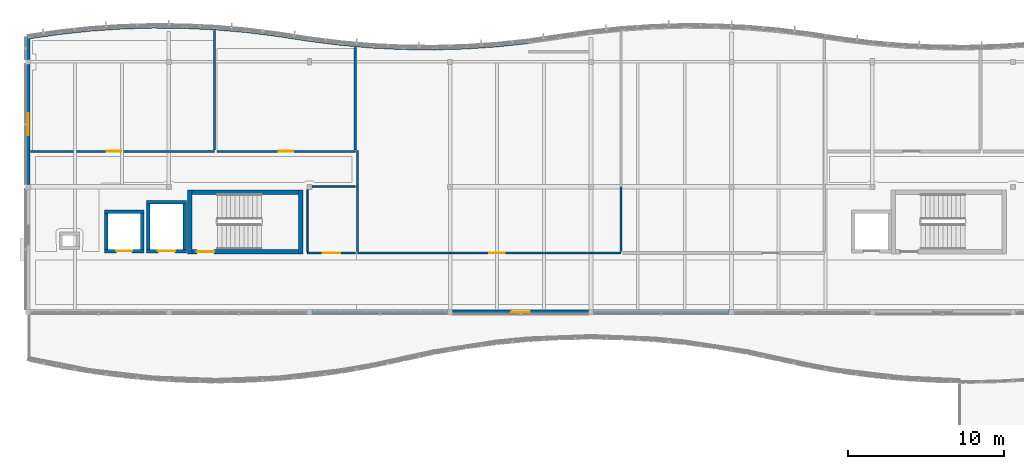
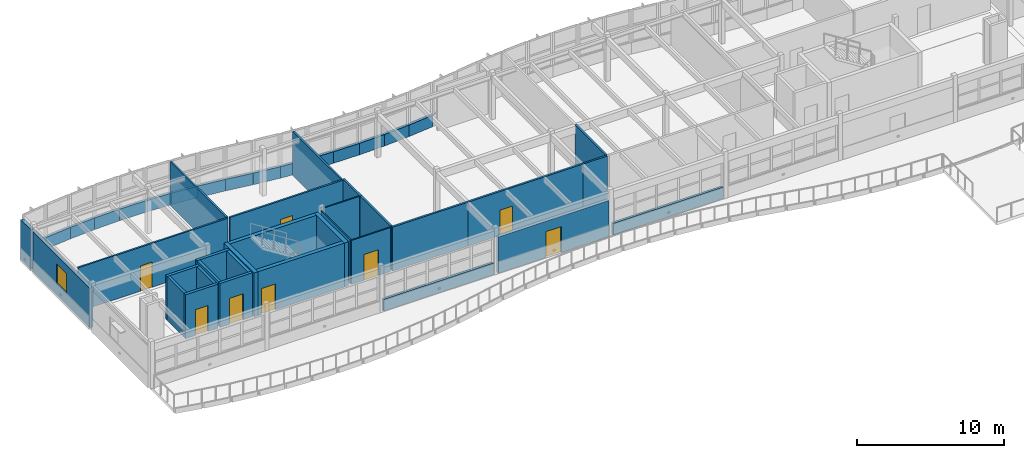
# One storey, part 20 of 33: 46 walls, 8 doors, 1 window, 9 openings.
"""IFC4 building model written with IfcOpenShell, lengths in metres."""

from ifc_helpers import new_model, si_unit, direction, frame, frame_2d, origin, place, context, subcontext, project, spatial, rectangle, extrude, material, layer, layer_set, type_object, element, fill, save


model = new_model("IFC4")

# Units and contexts
model_context = context("Model", 3, precision=1e-05, world=origin(), true_north=direction((0.0, 1.0)))
body_context = subcontext(model_context, "Body", "Model", "MODEL_VIEW")
ifc_project = project(units=[si_unit("LENGTHUNIT", "METRE"), si_unit("AREAUNIT", "SQUARE_METRE"), si_unit("VOLUMEUNIT", "CUBIC_METRE"), si_unit("PLANEANGLEUNIT", "RADIAN"), si_unit("MASSUNIT", "GRAM", prefix="KILO")], contexts=[model_context])

# Site, building, storey
site_placement = place(None, origin())
site = spatial("IfcSite", under=ifc_project, at=site_placement, CompositionType="ELEMENT")
building_placement = place(site_placement, origin())
building = spatial("IfcBuilding", under=site, at=building_placement, Name="Tonlespit Floodbar School", CompositionType="ELEMENT")
storey_placement = place(building_placement, frame((0.0, 0.0, 16.199951171875)))
storey = spatial("IfcBuildingStorey", under=building, at=storey_placement, Name="L04", CompositionType="ELEMENT", Elevation=16.199951171875)

# Walls
ifc_material_1 = material(Name="Concrete C40/50", Category="concrete")
ifc_layer_1 = layer(ifc_material_1, 0.300048828125)
ifc_layer_set_1 = layer_set([ifc_layer_1], Name="Concrete C40/50")
wall_type_1 = type_object("IfcWallType", Name="CoreWall_RC_300", PredefinedType="SHEAR", material=ifc_layer_set_1)
for number, where, z_axis, x_axis, name in (
    (1, (54.35009765625, 107.699951171875, 0.0), (0.0, 0.0, 1.0), (0.0, 1.0, 0.0), "L04 core C1 shear wall NEAR"),
    (2, (61.449951171875, 111.800048828125, 0.0), (0.0, 0.0, 1.0), (0.0, -1.0, 0.0), "L04 core C1 shear wall FAR"),
):
    element("IfcWall", number, at=place(storey_placement, frame(where, z_axis=z_axis, x_axis=x_axis)), inside=storey, type_object=wall_type_1, Name=name, PredefinedType="SHEAR", context=body_context, shape_type="SweptSolid", body=[
        extrude(rectangle(XDim=4.10009765625, YDim=0.300048828125, at=frame_2d((2.050048828125, 0.0))), origin(), (0.0, 0.0, 1.0), 3.650146484375),
    ])

# Wall, opening, door
wall_1_placement = place(storey_placement, frame((54.5, 107.85009765625, 0.0), z_axis=(0.0, 0.0, 1.0), x_axis=(1.0, 0.0, 0.0)))
wall_1 = element("IfcWall", 3, at=wall_1_placement, inside=storey, type_object=wall_type_1, Name="L04 core C1 shear wall LEFT", PredefinedType="SHEAR", context=body_context, shape_type="SweptSolid", body=[
    extrude(rectangle(XDim=6.800048828125, YDim=0.300048828125, at=frame_2d((3.39990234375, 0.0))), origin(), (0.0, 0.0, 1.0), 3.650146484375),
])
opening_1_placement = place(wall_1_placement, frame((0.300048828125, 0.0, 0.0)))
opening_1 = element("IfcOpeningElement", 4, at=opening_1_placement, cuts=wall_1, Name="Opening FD1-C1-L04", PredefinedType="OPENING", context=body_context, shape_type="SweptSolid", body=[
    extrude(rectangle(XDim=1.10009765625, YDim=2.14990234375, at=frame_2d((0.550048828125, 1.074951171875))), frame((0.0, 0.159912109375, 0.0), z_axis=(0.0, -1.0, 0.0), x_axis=(1.0, 0.0, 0.0)), (0.0, 0.0, 1.0), 0.320068359375),
])
ifc_material_2 = material(Name="Galvanised Steel", Category="steel")
door_type_1 = type_object("IfcDoorType", Name="FireDoor_Stair_1100x2150", OperationType="NOTDEFINED", PredefinedType="DOOR", material=ifc_material_2)
door_1_placement = place(opening_1_placement, origin())
door_1 = element("IfcDoor", 5, at=door_1_placement, inside=storey, type_object=door_type_1, Name="L04 stair ST-C1 fire door", OperationType="SINGLE_SWING_LEFT", OverallHeight=2.14990234375, OverallWidth=1.10009765625, PredefinedType="DOOR", context=body_context, shape_type="SweptSolid", body=[
    extrude(rectangle(XDim=1.10009765625, YDim=2.14990234375, at=frame_2d((0.550048828125, 1.074951171875))), frame((0.0, 0.02490234375, 0.0), z_axis=(0.0, -1.0, 0.0), x_axis=(1.0, 0.0, 0.0)), (0.0, 0.0, 1.0), 0.050048828125),
])
fill(opening_1, door_1)

# Wall
wall_2_placement = place(storey_placement, frame((61.300048828125, 111.64990234375, 0.0), z_axis=(0.0, 0.0, 1.0), x_axis=(-1.0, 0.0, 0.0)))
element("IfcWall", 6, at=wall_2_placement, inside=storey, type_object=wall_type_1, Name="L04 core C1 shear wall RGHT", PredefinedType="SHEAR", context=body_context, shape_type="SweptSolid", body=[
    extrude(rectangle(XDim=6.800048828125, YDim=0.300048828125, at=frame_2d((3.39990234375, 0.0))), origin(), (0.0, 0.0, 1.0), 3.650146484375),
])

# Wall, opening, door
ifc_material_3 = material(Name="Precast concrete C40/50", Category="concrete")
ifc_layer_2 = layer(ifc_material_3, 0.239990234375)
ifc_layer_set_2 = layer_set([ifc_layer_2], Name="Precast concrete C40/50")
wall_type_2 = type_object("IfcWallType", Name="ExtWall_Rainscreen_240", PredefinedType="SOLIDWALL", material=ifc_layer_set_2)
wall_3_placement = place(storey_placement, frame((79.840087890625, 104.0, 0.0), z_axis=(0.0, 0.0, 1.0), x_axis=(-1.0, 0.0, 0.0)))
wall_3 = element("IfcWall", 7, at=wall_3_placement, inside=storey, type_object=wall_type_2, Name="L04 external wall 0229", PredefinedType="SOLIDWALL", context=body_context, shape_type="SweptSolid", body=[
    extrude(rectangle(XDim=8.68017578125, YDim=0.239990234375, at=frame_2d((4.340087890625, 0.0))), origin(), (0.0, 0.0, 1.0), 3.010009765625),
])
opening_2_placement = place(wall_3_placement, frame((3.739990234375, 0.0, 0.0)))
opening_2 = element("IfcOpeningElement", 8, at=opening_2_placement, cuts=wall_3, Name="Opening D-TR-011", PredefinedType="OPENING", context=body_context, shape_type="SweptSolid", body=[
    extrude(rectangle(XDim=1.199951171875, YDim=2.14990234375, at=frame_2d((0.60009765625, 1.074951171875))), frame((0.0, 0.1298828125, 0.0), z_axis=(0.0, -1.0, 0.0), x_axis=(1.0, 0.0, 0.0)), (0.0, 0.0, 1.0), 0.260009765625),
])
ifc_material_4 = material(Name="Anodised Aluminium", Category="aluminium")
door_type_2 = type_object("IfcDoorType", Name="ExtDoor_Terrace_1200x2150", OperationType="NOTDEFINED", PredefinedType="DOOR", material=ifc_material_4)
door_2_placement = place(opening_2_placement, origin())
door_2 = element("IfcDoor", 9, at=door_2_placement, inside=storey, type_object=door_type_2, Name="L04 exterior door D-TR-011", OperationType="SINGLE_SWING_LEFT", OverallHeight=2.14990234375, OverallWidth=1.199951171875, PredefinedType="DOOR", context=body_context, shape_type="SweptSolid", body=[
    extrude(rectangle(XDim=1.199951171875, YDim=2.14990234375, at=frame_2d((0.60009765625, 1.074951171875))), frame((0.0, 0.02490234375, 0.0), z_axis=(0.0, -1.0, 0.0), x_axis=(1.0, 0.0, 0.0)), (0.0, 0.0, 1.0), 0.050048828125),
])
fill(opening_2, door_2)

# Wall, opening, window
wall_4_placement = place(storey_placement, frame((44.0, 112.159912109375, 0.0), z_axis=(0.0, 0.0, 1.0), x_axis=(0.0, 1.0, 0.0)))
wall_4 = element("IfcWall", 10, at=wall_4_placement, inside=storey, type_object=wall_type_2, Name="L04 external wall 0234", PredefinedType="SOLIDWALL", context=body_context, shape_type="SweptSolid", body=[
    extrude(rectangle(XDim=7.68017578125, YDim=0.239990234375, at=frame_2d((3.840087890625, 0.0))), origin(), (0.0, 0.0, 1.0), 3.2900390625),
])
opening_3_placement = place(wall_4_placement, frame((3.139892578125, 0.0, 0.949951171875)))
opening_3 = element("IfcOpeningElement", 11, at=opening_3_placement, cuts=wall_4, Name="Opening W-L04-010", PredefinedType="OPENING", context=body_context, shape_type="SweptSolid", body=[
    extrude(rectangle(XDim=1.39990234375, YDim=1.64990234375, at=frame_2d((0.699951171875, 0.824951171875))), frame((0.0, 0.1298828125, 0.0), z_axis=(0.0, -1.0, 0.0), x_axis=(1.0, 0.0, 0.0)), (0.0, 0.0, 1.0), 0.260009765625),
])
ifc_material_5 = material(Name="Tempered Double Glazing", Category="glass")
window_type = type_object("IfcWindowType", Name="Win_Mod_1400x1650", PartitioningType="SINGLE_PANEL", PredefinedType="WINDOW", material=ifc_material_5)
window_placement = place(opening_3_placement, origin())
window = element("IfcWindow", 12, at=window_placement, inside=storey, type_object=window_type, Name="L04 window W-L04-010", OverallHeight=1.64990234375, OverallWidth=1.39990234375, PartitioningType="SINGLE_PANEL", PredefinedType="WINDOW", context=body_context, shape_type="SweptSolid", body=[
    extrude(rectangle(XDim=1.39990234375, YDim=1.64990234375, at=frame_2d((0.699951171875, 0.824951171875))), frame((0.0, 0.030029296875, 0.0), z_axis=(0.0, -1.0, 0.0), x_axis=(1.0, 0.0, 0.0)), (0.0, 0.0, 1.0), 0.06005859375),
])
fill(opening_3, window)

# Walls
wall_5_placement = place(storey_placement, frame((44.0, 120.159912109375, 0.0), z_axis=(0.0, 0.0, 1.0), x_axis=(0.0, 1.0, 0.0)))
element("IfcWall", 13, at=wall_5_placement, inside=storey, type_object=wall_type_2, Name="L04 external wall 0235", PredefinedType="SOLIDWALL", context=body_context, shape_type="SweptSolid", body=[
    extrude(rectangle(XDim=1.39013671875, YDim=0.239990234375, at=frame_2d((0.695068359375, 0.0))), origin(), (0.0, 0.0, 1.0), 3.2900390625),
])
ifc_material_6 = material(Name="White Architectural Precast concrete C40/50", Category="concrete")
ifc_layer_3 = layer(ifc_material_6, 0.199951171875)
ifc_layer_set_3 = layer_set([ifc_layer_3], Name="White Architectural Precast concrete C40/50")
wall_type_3 = type_object("IfcWallType", Name="ExtWall_Spandrel_White_200", PredefinedType="SOLIDWALL", material=ifc_layer_set_3)
wall_6_placement = place(storey_placement, frame((44.0, 121.550048828125, 0.0), z_axis=(0.0, 0.0, 1.0), x_axis=(0.989544477223, 0.144228040259, 0.0)))
element("IfcWall", 14, at=wall_6_placement, inside=storey, type_object=wall_type_3, Name="L04 spandrel wall 0189", PredefinedType="SOLIDWALL", context=body_context, shape_type="SweptSolid", body=[
    extrude(rectangle(XDim=2.021240234375, YDim=0.199951171875, at=frame_2d((1.0107421875, 0.0))), origin(), (0.0, 0.0, 1.0), 0.949951171875),
])
wall_7_placement = place(storey_placement, frame((46.0, 121.841552734375, 0.0), z_axis=(0.0, 0.0, 1.0), x_axis=(0.994395160059, 0.105727317433, 0.0)))
element("IfcWall", 15, at=wall_7_placement, inside=storey, type_object=wall_type_3, Name="L04 spandrel wall 0190", PredefinedType="SOLIDWALL", context=body_context, shape_type="SweptSolid", body=[
    extrude(rectangle(XDim=2.01123046875, YDim=0.199951171875, at=frame_2d((1.005615234375, 0.0))), origin(), (0.0, 0.0, 1.0), 0.949951171875),
])
wall_8_placement = place(storey_placement, frame((48.0, 122.05419921875, 0.0), z_axis=(0.0, 0.0, 1.0), x_axis=(0.997729302978, 0.067351599676, 0.0)))
element("IfcWall", 16, at=wall_8_placement, inside=storey, type_object=wall_type_3, Name="L04 spandrel wall 0191", PredefinedType="SOLIDWALL", context=body_context, shape_type="SweptSolid", body=[
    extrude(rectangle(XDim=2.004638671875, YDim=0.199951171875, at=frame_2d((1.00244140625, 0.0))), origin(), (0.0, 0.0, 1.0), 0.949951171875),
])
wall_9_placement = place(storey_placement, frame((50.0, 122.189208984375, 0.0), z_axis=(0.0, 0.0, 1.0), x_axis=(0.999581770858, 0.028918564416, 0.0)))
element("IfcWall", 17, at=wall_9_placement, inside=storey, type_object=wall_type_3, Name="L04 spandrel wall 0192", PredefinedType="SOLIDWALL", context=body_context, shape_type="SweptSolid", body=[
    extrude(rectangle(XDim=2.000732421875, YDim=0.199951171875, at=frame_2d((1.00048828125, 0.0))), origin(), (0.0, 0.0, 1.0), 0.949951171875),
])
wall_10_placement = place(storey_placement, frame((52.0, 122.2470703125, 0.0), z_axis=(0.0, 0.0, 1.0), x_axis=(0.999953504169, -0.009643106302, 0.0)))
element("IfcWall", 18, at=wall_10_placement, inside=storey, type_object=wall_type_3, Name="L04 spandrel wall 0193", PredefinedType="SOLIDWALL", context=body_context, shape_type="SweptSolid", body=[
    extrude(rectangle(XDim=2.0, YDim=0.199951171875, at=frame_2d((1.0, 0.0))), origin(), (0.0, 0.0, 1.0), 0.949951171875),
])
wall_11_placement = place(storey_placement, frame((54.0, 122.227783203125, 0.0), z_axis=(0.0, 0.0, 1.0), x_axis=(0.99884540439, -0.048040172037, 0.0)))
element("IfcWall", 19, at=wall_11_placement, inside=storey, type_object=wall_type_3, Name="L04 spandrel wall 0194", PredefinedType="SOLIDWALL", context=body_context, shape_type="SweptSolid", body=[
    extrude(rectangle(XDim=2.002197265625, YDim=0.199951171875, at=frame_2d((1.0009765625, 0.0))), origin(), (0.0, 0.0, 1.0), 0.949951171875),
])
wall_12_placement = place(storey_placement, frame((56.0, 122.131591796875, 0.0), z_axis=(0.0, 0.0, 1.0), x_axis=(0.996244237948, -0.086587633962, 0.0)))
element("IfcWall", 20, at=wall_12_placement, inside=storey, type_object=wall_type_3, Name="L04 spandrel wall 0195", PredefinedType="SOLIDWALL", context=body_context, shape_type="SweptSolid", body=[
    extrude(rectangle(XDim=2.007568359375, YDim=0.199951171875, at=frame_2d((1.00390625, 0.0))), origin(), (0.0, 0.0, 1.0), 0.949951171875),
])
wall_13_placement = place(storey_placement, frame((58.0, 121.957763671875, 0.0), z_axis=(0.0, 0.0, 1.0), x_axis=(0.992158168336, -0.124988675503, 0.0)))
element("IfcWall", 21, at=wall_13_placement, inside=storey, type_object=wall_type_3, Name="L04 spandrel wall 0196", PredefinedType="SOLIDWALL", context=body_context, shape_type="SweptSolid", body=[
    extrude(rectangle(XDim=2.015869140625, YDim=0.199951171875, at=frame_2d((1.0078125, 0.0))), origin(), (0.0, 0.0, 1.0), 0.949951171875),
])
wall_14_placement = place(storey_placement, frame((60.0, 121.705810546875, 0.0), z_axis=(0.0, 0.0, 1.0), x_axis=(0.988085509852, -0.153905897287, 0.0)))
element("IfcWall", 22, at=wall_14_placement, inside=storey, type_object=wall_type_3, Name="L04 spandrel wall 0197", PredefinedType="SOLIDWALL", context=body_context, shape_type="SweptSolid", body=[
    extrude(rectangle(XDim=2.024169921875, YDim=0.199951171875, at=frame_2d((1.01220703125, 0.0))), origin(), (0.0, 0.0, 1.0), 0.949951171875),
])
wall_15_placement = place(storey_placement, frame((62.0, 121.394287109375, 0.0), z_axis=(0.0, 0.0, 1.0), x_axis=(0.992158168336, -0.124988675503, 0.0)))
element("IfcWall", 23, at=wall_15_placement, inside=storey, type_object=wall_type_3, Name="L04 spandrel wall 0198", PredefinedType="SOLIDWALL", context=body_context, shape_type="SweptSolid", body=[
    extrude(rectangle(XDim=2.015869140625, YDim=0.199951171875, at=frame_2d((1.0078125, 0.0))), origin(), (0.0, 0.0, 1.0), 0.949951171875),
])
wall_16_placement = place(storey_placement, frame((64.0, 121.142333984375, 0.0), z_axis=(0.0, 0.0, 1.0), x_axis=(0.996244237948, -0.086587633962, 0.0)))
element("IfcWall", 24, at=wall_16_placement, inside=storey, type_object=wall_type_3, Name="L04 spandrel wall 0199", PredefinedType="SOLIDWALL", context=body_context, shape_type="SweptSolid", body=[
    extrude(rectangle(XDim=2.007568359375, YDim=0.199951171875, at=frame_2d((1.00390625, 0.0))), origin(), (0.0, 0.0, 1.0), 0.949951171875),
])
wall_17_placement = place(storey_placement, frame((66.0, 120.968505859375, 0.0), z_axis=(0.0, 0.0, 1.0), x_axis=(0.99884540439, -0.048040172037, 0.0)))
element("IfcWall", 25, at=wall_17_placement, inside=storey, type_object=wall_type_3, Name="L04 spandrel wall 0200", PredefinedType="SOLIDWALL", context=body_context, shape_type="SweptSolid", body=[
    extrude(rectangle(XDim=2.002197265625, YDim=0.199951171875, at=frame_2d((1.0009765625, 0.0))), origin(), (0.0, 0.0, 1.0), 0.949951171875),
])
wall_18_placement = place(storey_placement, frame((68.0, 120.872314453125, 0.0), z_axis=(0.0, 0.0, 1.0), x_axis=(0.999953504169, -0.009643106302, 0.0)))
element("IfcWall", 26, at=wall_18_placement, inside=storey, type_object=wall_type_3, Name="L04 spandrel wall 0201", PredefinedType="SOLIDWALL", context=body_context, shape_type="SweptSolid", body=[
    extrude(rectangle(XDim=2.0, YDim=0.199951171875, at=frame_2d((1.0, 0.0))), origin(), (0.0, 0.0, 1.0), 0.949951171875),
])
wall_19_placement = place(storey_placement, frame((70.0, 120.85302734375, 0.0), z_axis=(0.0, 0.0, 1.0), x_axis=(0.999585290582, 0.028796646555, 0.0)))
element("IfcWall", 27, at=wall_19_placement, inside=storey, type_object=wall_type_3, Name="L04 spandrel wall 0202", PredefinedType="SOLIDWALL", context=body_context, shape_type="SweptSolid", body=[
    extrude(rectangle(XDim=2.000732421875, YDim=0.199951171875, at=frame_2d((1.00048828125, 0.0))), origin(), (0.0, 0.0, 1.0), 0.949951171875),
])
wall_20_placement = place(storey_placement, frame((72.0, 120.91064453125, 0.0), z_axis=(0.0, 0.0, 1.0), x_axis=(0.997729302978, 0.067351599676, 0.0)))
element("IfcWall", 28, at=wall_20_placement, inside=storey, type_object=wall_type_3, Name="L04 spandrel wall 0203", PredefinedType="SOLIDWALL", context=body_context, shape_type="SweptSolid", body=[
    extrude(rectangle(XDim=2.004638671875, YDim=0.199951171875, at=frame_2d((1.00244140625, 0.0))), origin(), (0.0, 0.0, 1.0), 0.949951171875),
])
wall_21_placement = place(storey_placement, frame((74.0, 121.045654296875, 0.0), z_axis=(0.0, 0.0, 1.0), x_axis=(0.994395160059, 0.105727317433, 0.0)))
element("IfcWall", 29, at=wall_21_placement, inside=storey, type_object=wall_type_3, Name="L04 spandrel wall 0204", PredefinedType="SOLIDWALL", context=body_context, shape_type="SweptSolid", body=[
    extrude(rectangle(XDim=2.01123046875, YDim=0.199951171875, at=frame_2d((1.005615234375, 0.0))), origin(), (0.0, 0.0, 1.0), 0.949951171875),
])
for number, where, z_axis, x_axis, name in (
    (30, (88.840087890625, 104.0, 0.0), (0.0, 0.0, 1.0), (-1.0, 0.0, 0.0), "L04 spandrel wall 0228"),
    (31, (70.840087890625, 104.0, 0.0), (0.0, 0.0, 1.0), (-1.0, 0.0, 0.0), "L04 spandrel wall 0230"),
):
    element("IfcWall", number, at=place(storey_placement, frame(where, z_axis=z_axis, x_axis=x_axis)), inside=storey, type_object=wall_type_3, Name=name, PredefinedType="SOLIDWALL", context=body_context, shape_type="SweptSolid", body=[
        extrude(rectangle(XDim=8.68017578125, YDim=0.199951171875, at=frame_2d((4.340087890625, 0.0))), origin(), (0.0, 0.0, 1.0), 0.949951171875),
    ])

# Wall, opening, door
ifc_material_7 = material(Name="Gypsum Plasterboard Partition")
ifc_layer_4 = layer(ifc_material_7, 0.10009765625)
ifc_layer_set_4 = layer_set([ifc_layer_4], Name="Gypsum Plasterboard Partition")
wall_type_4 = type_object("IfcWallType", Name="Partition_Gyp_100", PredefinedType="PARTITIONING", material=ifc_layer_set_4)
wall_22_placement = place(storey_placement, frame((61.8701171875, 107.77001953125, 0.0), z_axis=(0.0, 0.0, 1.0), x_axis=(1.0, 0.0, 0.0)))
wall_22 = element("IfcWall", 32, at=wall_22_placement, inside=storey, type_object=wall_type_4, Name="L04 partition wall 0127", PredefinedType="PARTITIONING", context=body_context, shape_type="SweptSolid", body=[
    extrude(rectangle(XDim=3.059814453125, YDim=0.10009765625, at=frame_2d((1.52978515625, 0.0))), origin(), (0.0, 0.0, 1.0), 3.650146484375),
])
opening_4_placement = place(wall_22_placement, frame((0.969970703125, 0.0, 0.0)))
opening_4 = element("IfcOpeningElement", 33, at=opening_4_placement, cuts=wall_22, Name="Opening D-L04-041", PredefinedType="OPENING", context=body_context, shape_type="SweptSolid", body=[
    extrude(rectangle(XDim=1.1201171875, YDim=2.14990234375, at=frame_2d((0.56005859375, 1.074951171875))), frame((0.0, 0.06005859375, 0.0), z_axis=(0.0, -1.0, 0.0), x_axis=(1.0, 0.0, 0.0)), (0.0, 0.0, 1.0), 0.1201171875),
])
ifc_material_8 = material(Name="Hardwood Timber", Category="wood")
door_type_3 = type_object("IfcDoorType", Name="IntDoor_1120x2150", OperationType="NOTDEFINED", PredefinedType="DOOR", material=ifc_material_8)
door_3_placement = place(opening_4_placement, origin())
door_3 = element("IfcDoor", 34, at=door_3_placement, inside=storey, type_object=door_type_3, Name="L04 interior door D-L04-041", OperationType="SINGLE_SWING_RIGHT", OverallHeight=2.14990234375, OverallWidth=1.1201171875, PredefinedType="DOOR", context=body_context, shape_type="SweptSolid", body=[
    extrude(rectangle(XDim=1.1201171875, YDim=2.14990234375, at=frame_2d((0.56005859375, 1.074951171875))), frame((0.0, 0.02490234375, 0.0), z_axis=(0.0, -1.0, 0.0), x_axis=(1.0, 0.0, 0.0)), (0.0, 0.0, 1.0), 0.050048828125),
])
fill(opening_4, door_3)

# Walls
wall_23_placement = place(storey_placement, frame((62.175048828125, 112.030029296875, 0.0), z_axis=(0.0, 0.0, 1.0), x_axis=(1.0, 0.0, 0.0)))
element("IfcWall", 35, at=wall_23_placement, inside=storey, type_object=wall_type_4, Name="L04 partition wall 0128", PredefinedType="PARTITIONING", context=body_context, shape_type="SweptSolid", body=[
    extrude(rectangle(XDim=2.7548828125, YDim=0.10009765625, at=frame_2d((1.37744140625, 0.0))), origin(), (0.0, 0.0, 1.0), 3.650146484375),
])
wall_24_placement = place(storey_placement, frame((61.8701171875, 107.8349609375, 0.0), z_axis=(0.0, 0.0, 1.0), x_axis=(0.0, 1.0, 0.0)))
element("IfcWall", 36, at=wall_24_placement, inside=storey, type_object=wall_type_4, Name="L04 partition wall 0129", PredefinedType="PARTITIONING", context=body_context, shape_type="SweptSolid", body=[
    extrude(rectangle(XDim=3.989990234375, YDim=0.10009765625, at=frame_2d((1.9951171875, 0.0))), origin(), (0.0, 0.0, 1.0), 3.650146484375),
])

# Wall, opening, door
ifc_layer_5 = layer(ifc_material_7, 0.1298828125)
ifc_layer_set_5 = layer_set([ifc_layer_5], Name="Gypsum Plasterboard Partition")
wall_type_5 = type_object("IfcWallType", Name="Partition_Gyp_130", PredefinedType="PARTITIONING", material=ifc_layer_set_5)
wall_25_placement = place(storey_placement, frame((44.162109375, 114.27001953125, 0.0), z_axis=(0.0, 0.0, 1.0), x_axis=(1.0, 0.0, 0.0)))
wall_25 = element("IfcWall", 37, at=wall_25_placement, inside=storey, type_object=wall_type_5, Name="L04 partition wall 0106", PredefinedType="PARTITIONING", context=body_context, shape_type="SweptSolid", body=[
    extrude(rectangle(XDim=11.767822265625, YDim=0.1298828125, at=frame_2d((5.8837890625, 0.0))), origin(), (0.0, 0.0, 1.0), 3.650146484375),
])
opening_5_placement = place(wall_25_placement, frame((4.8779296875, 0.0, 0.0)))
opening_5 = element("IfcOpeningElement", 38, at=opening_5_placement, cuts=wall_25, Name="Opening D-L04-035", PredefinedType="OPENING", context=body_context, shape_type="SweptSolid", body=[
    extrude(rectangle(XDim=0.919921875, YDim=2.10009765625, at=frame_2d((0.4599609375, 1.050048828125))), frame((0.0, 0.074951171875, 0.0), z_axis=(0.0, -1.0, 0.0), x_axis=(1.0, 0.0, 0.0)), (0.0, 0.0, 1.0), 0.14990234375),
])
door_type_4 = type_object("IfcDoorType", Name="IntDoor_920x2100", OperationType="NOTDEFINED", PredefinedType="DOOR", material=ifc_material_8)
door_4_placement = place(opening_5_placement, origin())
door_4 = element("IfcDoor", 39, at=door_4_placement, inside=storey, type_object=door_type_4, Name="L04 interior door D-L04-035", OperationType="SINGLE_SWING_RIGHT", OverallHeight=2.10009765625, OverallWidth=0.919921875, PredefinedType="DOOR", context=body_context, shape_type="SweptSolid", body=[
    extrude(rectangle(XDim=0.919921875, YDim=2.10009765625, at=frame_2d((0.4599609375, 1.050048828125))), frame((0.0, 0.02490234375, 0.0), z_axis=(0.0, -1.0, 0.0), x_axis=(1.0, 0.0, 0.0)), (0.0, 0.0, 1.0), 0.050048828125),
])
fill(opening_5, door_4)

# Wall
wall_26_placement = place(storey_placement, frame((55.929931640625, 114.35009765625, 0.0), z_axis=(0.0, 0.0, 1.0), x_axis=(0.0, 1.0, 0.0)))
element("IfcWall", 40, at=wall_26_placement, inside=storey, type_object=wall_type_5, Name="L04 partition wall 0107", PredefinedType="PARTITIONING", context=body_context, shape_type="SweptSolid", body=[
    extrude(rectangle(XDim=7.642822265625, YDim=0.1298828125, at=frame_2d((3.8212890625, 0.0))), origin(), (0.0, 0.0, 1.0), 3.650146484375),
])

# Wall, opening, door
ifc_layer_6 = layer(ifc_material_7, 0.139892578125)
ifc_layer_set_6 = layer_set([ifc_layer_6], Name="Gypsum Plasterboard Partition")
wall_type_6 = type_object("IfcWallType", Name="Partition_Gyp_140", PredefinedType="PARTITIONING", material=ifc_layer_set_6)
wall_27_placement = place(storey_placement, frame((56.070068359375, 114.27001953125, 0.0), z_axis=(0.0, 0.0, 1.0), x_axis=(1.0, 0.0, 0.0)))
wall_27 = element("IfcWall", 41, at=wall_27_placement, inside=storey, type_object=wall_type_6, Name="L04 partition wall 0108", PredefinedType="PARTITIONING", context=body_context, shape_type="SweptSolid", body=[
    extrude(rectangle(XDim=8.85986328125, YDim=0.139892578125, at=frame_2d((4.429931640625, 0.0))), origin(), (0.0, 0.0, 1.0), 3.650146484375),
])
opening_6_placement = place(wall_27_placement, frame((3.955078125, 0.0, 0.0)))
opening_6 = element("IfcOpeningElement", 42, at=opening_6_placement, cuts=wall_27, Name="Opening D-L04-036", PredefinedType="OPENING", context=body_context, shape_type="SweptSolid", body=[
    extrude(rectangle(XDim=0.949951171875, YDim=2.10009765625, at=frame_2d((0.47509765625, 1.050048828125))), frame((0.0, 0.079833984375, 0.0), z_axis=(0.0, -1.0, 0.0), x_axis=(1.0, 0.0, 0.0)), (0.0, 0.0, 1.0), 0.159912109375),
])
door_type_5 = type_object("IfcDoorType", Name="IntDoor_950x2100", OperationType="NOTDEFINED", PredefinedType="DOOR", material=ifc_material_8)
door_5_placement = place(opening_6_placement, origin())
door_5 = element("IfcDoor", 43, at=door_5_placement, inside=storey, type_object=door_type_5, Name="L04 interior door D-L04-036", OperationType="SINGLE_SWING_LEFT", OverallHeight=2.10009765625, OverallWidth=0.949951171875, PredefinedType="DOOR", context=body_context, shape_type="SweptSolid", body=[
    extrude(rectangle(XDim=0.949951171875, YDim=2.10009765625, at=frame_2d((0.47509765625, 1.050048828125))), frame((0.0, 0.02490234375, 0.0), z_axis=(0.0, -1.0, 0.0), x_axis=(1.0, 0.0, 0.0)), (0.0, 0.0, 1.0), 0.050048828125),
])
fill(opening_6, door_5)

# Walls
wall_28_placement = place(storey_placement, frame((64.929931640625, 114.35498046875, 0.0), z_axis=(0.0, 0.0, 1.0), x_axis=(0.0, 1.0, 0.0)))
element("IfcWall", 44, at=wall_28_placement, inside=storey, type_object=wall_type_6, Name="L04 partition wall 0109", PredefinedType="PARTITIONING", context=body_context, shape_type="SweptSolid", body=[
    extrude(rectangle(XDim=6.564453125, YDim=0.139892578125, at=frame_2d((3.2822265625, 0.0))), origin(), (0.0, 0.0, 1.0), 3.650146484375),
])
ifc_layer_7 = layer(ifc_material_7, 0.14990234375)
ifc_layer_set_7 = layer_set([ifc_layer_7], Name="Gypsum Plasterboard Partition")
wall_type_7 = type_object("IfcWallType", Name="Partition_Gyp_150", PredefinedType="PARTITIONING", material=ifc_layer_set_7)
wall_29_placement = place(storey_placement, frame((65.070068359375, 107.77001953125, 0.0), z_axis=(0.0, 0.0, 1.0), x_axis=(1.0, 0.0, 0.0)))
element("IfcWall", 45, at=wall_29_placement, inside=storey, type_object=wall_type_7, Name="L04 partition wall 0110", PredefinedType="PARTITIONING", context=body_context, shape_type="SweptSolid", body=[
    extrude(rectangle(XDim=5.929931640625, YDim=0.14990234375, at=frame_2d((2.96484375, 0.0))), origin(), (0.0, 0.0, 1.0), 3.650146484375),
])

# Wall, opening, door
wall_30_placement = place(storey_placement, frame((71.0, 107.77001953125, 0.0), z_axis=(0.0, 0.0, 1.0), x_axis=(1.0, 0.0, 0.0)))
wall_30 = element("IfcWall", 46, at=wall_30_placement, inside=storey, type_object=wall_type_7, Name="L04 partition wall 0111", PredefinedType="PARTITIONING", context=body_context, shape_type="SweptSolid", body=[
    extrude(rectangle(XDim=9.0, YDim=0.14990234375, at=frame_2d((4.5, 0.0))), origin(), (0.0, 0.0, 1.0), 3.650146484375),
])
opening_7_placement = place(wall_30_placement, frame((2.510009765625, 0.0, 0.0)))
opening_7 = element("IfcOpeningElement", 47, at=opening_7_placement, cuts=wall_30, Name="Opening D-L04-037", PredefinedType="OPENING", context=body_context, shape_type="SweptSolid", body=[
    extrude(rectangle(XDim=0.97998046875, YDim=2.10009765625, at=frame_2d((0.489990234375, 1.050048828125))), frame((0.0, 0.0849609375, 0.0), z_axis=(0.0, -1.0, 0.0), x_axis=(1.0, 0.0, 0.0)), (0.0, 0.0, 1.0), 0.169921875),
])
door_type_6 = type_object("IfcDoorType", Name="IntDoor_980x2100", OperationType="NOTDEFINED", PredefinedType="DOOR", material=ifc_material_8)
door_6_placement = place(opening_7_placement, origin())
door_6 = element("IfcDoor", 48, at=door_6_placement, inside=storey, type_object=door_type_6, Name="L04 interior door D-L04-037", OperationType="SINGLE_SWING_RIGHT", OverallHeight=2.10009765625, OverallWidth=0.97998046875, PredefinedType="DOOR", context=body_context, shape_type="SweptSolid", body=[
    extrude(rectangle(XDim=0.97998046875, YDim=2.10009765625, at=frame_2d((0.489990234375, 1.050048828125))), frame((0.0, 0.02490234375, 0.0), z_axis=(0.0, -1.0, 0.0), x_axis=(1.0, 0.0, 0.0)), (0.0, 0.0, 1.0), 0.050048828125),
])
fill(opening_7, door_6)

# Walls
wall_31_placement = place(storey_placement, frame((80.0, 107.77001953125, 0.0), z_axis=(0.0, 0.0, 1.0), x_axis=(1.0, 0.0, 0.0)))
element("IfcWall", 49, at=wall_31_placement, inside=storey, type_object=wall_type_7, Name="L04 partition wall 0112", PredefinedType="PARTITIONING", context=body_context, shape_type="SweptSolid", body=[
    extrude(rectangle(XDim=1.929931640625, YDim=0.14990234375, at=frame_2d((0.96484375, 0.0))), origin(), (0.0, 0.0, 1.0), 3.650146484375),
])
wall_32_placement = place(storey_placement, frame((65.070068359375, 107.860107421875, 0.0), z_axis=(0.0, 0.0, 1.0), x_axis=(0.0, 1.0, 0.0)))
element("IfcWall", 50, at=wall_32_placement, inside=storey, type_object=wall_type_7, Name="L04 partition wall 0114", PredefinedType="PARTITIONING", context=body_context, shape_type="SweptSolid", body=[
    extrude(rectangle(XDim=4.139892578125, YDim=0.14990234375, at=frame_2d((2.06982421875, 0.0))), origin(), (0.0, 0.0, 1.0), 3.650146484375),
])
wall_33_placement = place(storey_placement, frame((65.070068359375, 112.0, 0.0), z_axis=(0.0, 0.0, 1.0), x_axis=(0.0, 1.0, 0.0)))
element("IfcWall", 51, at=wall_33_placement, inside=storey, type_object=wall_type_7, Name="L04 partition wall 0115", PredefinedType="PARTITIONING", context=body_context, shape_type="SweptSolid", body=[
    extrude(rectangle(XDim=2.3349609375, YDim=0.14990234375, at=frame_2d((1.16748046875, 0.0))), origin(), (0.0, 0.0, 1.0), 3.650146484375),
])
wall_34_placement = place(storey_placement, frame((81.929931640625, 107.860107421875, 0.0), z_axis=(0.0, 0.0, 1.0), x_axis=(0.0, 1.0, 0.0)))
element("IfcWall", 52, at=wall_34_placement, inside=storey, type_object=wall_type_7, Name="L04 partition wall 0116", PredefinedType="PARTITIONING", context=body_context, shape_type="SweptSolid", body=[
    extrude(rectangle(XDim=4.139892578125, YDim=0.14990234375, at=frame_2d((2.06982421875, 0.0))), origin(), (0.0, 0.0, 1.0), 3.650146484375),
])

# Wall, opening, door
ifc_layer_8 = layer(ifc_material_1, 0.219970703125)
ifc_layer_set_8 = layer_set([ifc_layer_8], Name="Concrete C40/50")
wall_type_8 = type_object("IfcWallType", Name="ShaftWall_RC_220", PredefinedType="SHEAR", material=ifc_layer_set_8)
wall_35_placement = place(storey_placement, frame((54.1201171875, 107.889892578125, 0.0), z_axis=(0.0, 0.0, 1.0), x_axis=(-1.0, 0.0, 0.0)))
wall_35 = element("IfcWall", 53, at=wall_35_placement, inside=storey, type_object=wall_type_8, Name="L04 lift LF-FF1 shaft wall S", PredefinedType="SHEAR", context=body_context, shape_type="SweptSolid", body=[
    extrude(rectangle(XDim=2.5400390625, YDim=0.219970703125, at=frame_2d((1.27001953125, 0.0))), origin(), (0.0, 0.0, 1.0), 3.650146484375),
])
opening_8_placement = place(wall_35_placement, frame((0.719970703125, 0.0, 0.0)))
opening_8 = element("IfcOpeningElement", 54, at=opening_8_placement, cuts=wall_35, Name="Opening LD-LF-FF1-L04", PredefinedType="OPENING", context=body_context, shape_type="SweptSolid", body=[
    extrude(rectangle(XDim=1.10009765625, YDim=2.14990234375, at=frame_2d((0.550048828125, 1.074951171875))), frame((0.0, 0.119873046875, 0.0), z_axis=(0.0, -1.0, 0.0), x_axis=(1.0, 0.0, 0.0)), (0.0, 0.0, 1.0), 0.239990234375),
])
door_type_7 = type_object("IfcDoorType", Name="LiftDoor_FF_1100x2150", OperationType="DOUBLE_DOOR_SLIDING", PredefinedType="DOOR", material=ifc_material_2)
door_7_placement = place(opening_8_placement, origin())
door_7 = element("IfcDoor", 55, at=door_7_placement, inside=storey, type_object=door_type_7, Name="L04 lift LF-FF1 sliding landing door", OperationType="DOUBLE_DOOR_SLIDING", OverallHeight=2.14990234375, OverallWidth=1.10009765625, PredefinedType="DOOR", context=body_context, shape_type="SweptSolid", body=[
    extrude(rectangle(XDim=1.10009765625, YDim=2.14990234375, at=frame_2d((0.550048828125, 1.074951171875))), frame((0.0, 0.02490234375, 0.0), z_axis=(0.0, -1.0, 0.0), x_axis=(1.0, 0.0, 0.0)), (0.0, 0.0, 1.0), 0.050048828125),
])
fill(opening_8, door_7)

# Walls
wall_36_placement = place(storey_placement, frame((51.580078125, 111.010009765625, 0.0), z_axis=(0.0, 0.0, 1.0), x_axis=(1.0, 0.0, 0.0)))
element("IfcWall", 56, at=wall_36_placement, inside=storey, type_object=wall_type_8, Name="L04 lift LF-FF1 shaft wall N", PredefinedType="SHEAR", context=body_context, shape_type="SweptSolid", body=[
    extrude(rectangle(XDim=2.5400390625, YDim=0.219970703125, at=frame_2d((1.27001953125, 0.0))), origin(), (0.0, 0.0, 1.0), 3.650146484375),
])
for number, where, z_axis, x_axis, name in (
    (57, (51.68994140625, 108.0, 0.0), (0.0, 0.0, 1.0), (0.0, 1.0, 0.0), "L04 lift LF-FF1 shaft wall W"),
    (58, (54.010009765625, 110.89990234375, 0.0), (0.0, 0.0, 1.0), (0.0, -1.0, 0.0), "L04 lift LF-FF1 shaft wall E"),
):
    element("IfcWall", number, at=place(storey_placement, frame(where, z_axis=z_axis, x_axis=x_axis)), inside=storey, type_object=wall_type_8, Name=name, PredefinedType="SHEAR", context=body_context, shape_type="SweptSolid", body=[
        extrude(rectangle(XDim=2.89990234375, YDim=0.219970703125, at=frame_2d((1.449951171875, 0.0))), origin(), (0.0, 0.0, 1.0), 3.650146484375),
    ])

# Wall, opening, door
wall_37_placement = place(storey_placement, frame((51.419921875, 107.889892578125, 0.0), z_axis=(0.0, 0.0, 1.0), x_axis=(-1.0, 0.0, 0.0)))
wall_37 = element("IfcWall", 59, at=wall_37_placement, inside=storey, type_object=wall_type_8, Name="L04 lift LP-1 shaft wall S", PredefinedType="SHEAR", context=body_context, shape_type="SweptSolid", body=[
    extrude(rectangle(XDim=2.5400390625, YDim=0.219970703125, at=frame_2d((1.27001953125, 0.0))), origin(), (0.0, 0.0, 1.0), 3.650146484375),
])
opening_9_placement = place(wall_37_placement, frame((0.77001953125, 0.0, 0.0)))
opening_9 = element("IfcOpeningElement", 60, at=opening_9_placement, cuts=wall_37, Name="Opening LD-LP-1-L04", PredefinedType="OPENING", context=body_context, shape_type="SweptSolid", body=[
    extrude(rectangle(XDim=1.0, YDim=2.14990234375, at=frame_2d((0.5, 1.074951171875))), frame((0.0, 0.119873046875, 0.0), z_axis=(0.0, -1.0, 0.0), x_axis=(1.0, 0.0, 0.0)), (0.0, 0.0, 1.0), 0.239990234375),
])
door_type_8 = type_object("IfcDoorType", Name="LiftDoor_Pass_1000x2150", OperationType="DOUBLE_DOOR_SLIDING", PredefinedType="DOOR", material=ifc_material_4)
door_8_placement = place(opening_9_placement, origin())
door_8 = element("IfcDoor", 61, at=door_8_placement, inside=storey, type_object=door_type_8, Name="L04 lift LP-1 sliding landing door", OperationType="DOUBLE_DOOR_SLIDING", OverallHeight=2.14990234375, OverallWidth=1.0, PredefinedType="DOOR", context=body_context, shape_type="SweptSolid", body=[
    extrude(rectangle(XDim=1.0, YDim=2.14990234375, at=frame_2d((0.5, 1.074951171875))), frame((0.0, 0.02490234375, 0.0), z_axis=(0.0, -1.0, 0.0), x_axis=(1.0, 0.0, 0.0)), (0.0, 0.0, 1.0), 0.050048828125),
])
fill(opening_9, door_8)

# Walls
wall_38_placement = place(storey_placement, frame((48.8798828125, 110.409912109375, 0.0), z_axis=(0.0, 0.0, 1.0), x_axis=(1.0, 0.0, 0.0)))
element("IfcWall", 62, at=wall_38_placement, inside=storey, type_object=wall_type_8, Name="L04 lift LP-1 shaft wall N", PredefinedType="SHEAR", context=body_context, shape_type="SweptSolid", body=[
    extrude(rectangle(XDim=2.5400390625, YDim=0.219970703125, at=frame_2d((1.27001953125, 0.0))), origin(), (0.0, 0.0, 1.0), 3.650146484375),
])
for number, where, z_axis, x_axis, name in (
    (63, (48.989990234375, 108.0, 0.0), (0.0, 0.0, 1.0), (0.0, 1.0, 0.0), "L04 lift LP-1 shaft wall W"),
    (64, (51.31005859375, 110.300048828125, 0.0), (0.0, 0.0, 1.0), (0.0, -1.0, 0.0), "L04 lift LP-1 shaft wall E"),
):
    element("IfcWall", number, at=place(storey_placement, frame(where, z_axis=z_axis, x_axis=x_axis)), inside=storey, type_object=wall_type_8, Name=name, PredefinedType="SHEAR", context=body_context, shape_type="SweptSolid", body=[
        extrude(rectangle(XDim=2.300048828125, YDim=0.219970703125, at=frame_2d((1.14990234375, 0.0))), origin(), (0.0, 0.0, 1.0), 3.650146484375),
    ])

save(model, "model.ifc")
